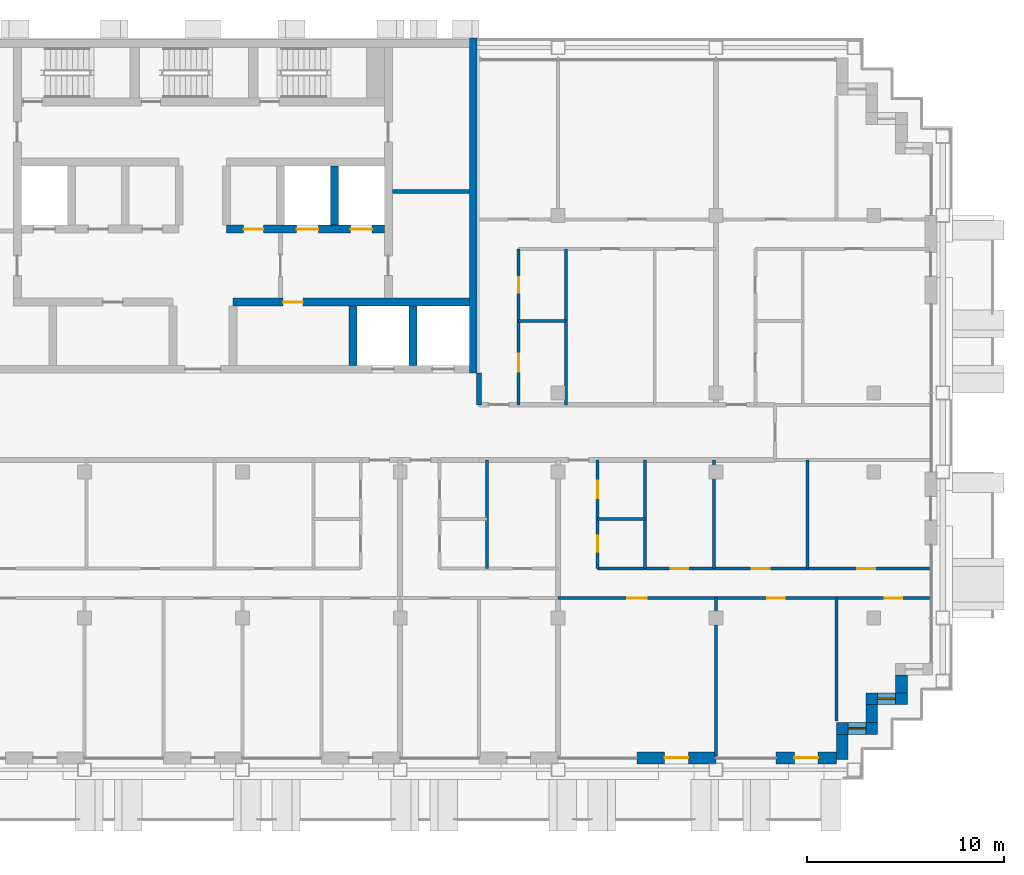
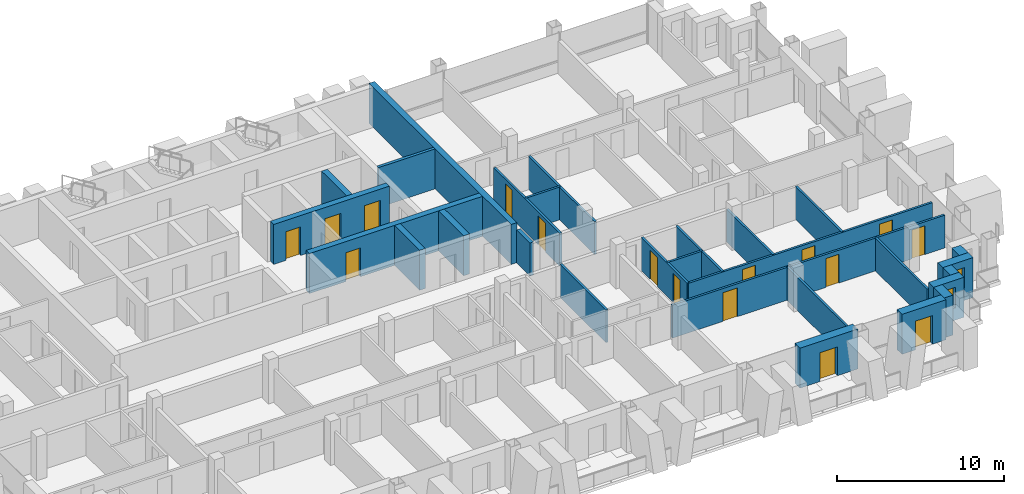
# One storey, part 10 of 16: 28 walls, 16 doors, 2 windows, 18 openings.
"""IFC4 building model written with IfcOpenShell, lengths in metres."""

import ifcopenshell
import ifcopenshell.guid

model = None  # the IFC model being written
_history = None  # IfcOwnerHistory: only IFC2X3 demands one
_inside = {}  # id of a spatial element -> (the spatial element, [elements in it])
_under = {}  # id of a project, library or spatial element -> (it, [spatial elements below it])
_declared = {}  # id of a project -> (the project, [libraries it declares])
_typed = {}  # id of a type object -> (the type object, [elements of that type])
_made_of = {}  # id of a material, layer set ... -> (it, [elements and type objects made of it])


def new_model(schema):
    """Start an empty IFC model of exactly this schema.

    Asked for "IFC4X3", IfcOpenShell would pick the latest addendum, in which some entities
    have other attributes; the version numbers below select the first issue.
    IFC2X3 requires an IfcOwnerHistory on every rooted entity: one is made here for all.
    """
    global model, _history
    if schema == "IFC4X3":
        model = ifcopenshell.file(schema_version=(4, 3, 0, 0))
    else:
        model = ifcopenshell.file(schema=schema)
    _inside.clear()
    _under.clear()
    _declared.clear()
    _typed.clear()
    _made_of.clear()
    _history = None
    if model.schema == "IFC2X3":
        org = make("IfcOrganization", Name="unknown")
        user = make(
            "IfcPersonAndOrganization",
            ThePerson=make("IfcPerson", FamilyName="unknown"),
            TheOrganization=org,
        )
        app = make(
            "IfcApplication",
            ApplicationDeveloper=org,
            Version="unknown",
            ApplicationFullName="unknown",
            ApplicationIdentifier="unknown",
        )
        _history = make(
            "IfcOwnerHistory",
            OwningUser=user,
            OwningApplication=app,
            ChangeAction="ADDED",
            CreationDate=0,
        )
    return model


def make(cls, **values):
    """One entity of the class cls with the attributes given. An attribute that is None is left unset."""
    return model.create_entity(
        cls, **{name: value for name, value in values.items() if value is not None}
    )


def rooted(cls, **values):
    """An entity with a GlobalId (a new one), such as an element, a storey or a relation."""
    return make(cls, GlobalId=ifcopenshell.guid.new(), OwnerHistory=_history, **values)


def si_unit(unit_type, name, prefix=None):
    """IfcSIUnit, for example si_unit("LENGTHUNIT", "METRE", prefix="MILLI")."""
    return make("IfcSIUnit", UnitType=unit_type, Prefix=prefix, Name=name)


def assignment(units):
    """IfcUnitAssignment: the units of a project."""
    return None if units is None else make("IfcUnitAssignment", Units=units)


def point(xyz):
    """IfcCartesianPoint."""
    return None if xyz is None else make("IfcCartesianPoint", Coordinates=xyz)


def direction(xyz):
    """IfcDirection."""
    return None if xyz is None else make("IfcDirection", DirectionRatios=xyz)


def frame(location, z_axis=None, x_axis=None):
    """IfcAxis2Placement3D, a coordinate frame: its origin and axes. An axis left out is left unset."""
    return make(
        "IfcAxis2Placement3D",
        Location=point(location),
        Axis=direction(z_axis),
        RefDirection=direction(x_axis),
    )


def frame_2d(location, x_axis=None):
    """IfcAxis2Placement2D, a coordinate frame in the plane: its origin and x axis."""
    return make(
        "IfcAxis2Placement2D", Location=point(location), RefDirection=direction(x_axis)
    )


def origin():
    """The frame at (0, 0, 0) with its axes left unset."""
    return frame((0.0, 0.0, 0.0))


def place(relative_to, where):
    """IfcLocalPlacement: puts the frame where relative to a parent placement (None: the world)."""
    return make(
        "IfcLocalPlacement", PlacementRelTo=relative_to, RelativePlacement=where
    )


def context(
    kind, dimensions, precision=None, world=None, true_north=None, identifier=None
):
    """IfcGeometricRepresentationContext, for example the 3D "Model" context."""
    return make(
        "IfcGeometricRepresentationContext",
        ContextIdentifier=identifier,
        ContextType=kind,
        CoordinateSpaceDimension=dimensions,
        Precision=precision,
        WorldCoordinateSystem=world,
        TrueNorth=true_north,
    )


def subcontext(parent, identifier, kind, view, scale=None):
    """IfcGeometricRepresentationSubContext, for example "Body" below "Model"."""
    return make(
        "IfcGeometricRepresentationSubContext",
        ContextIdentifier=identifier,
        ContextType=kind,
        ParentContext=parent,
        TargetScale=scale,
        TargetView=view,
    )


def project(units=None, contexts=None):
    """IfcProject with its units and contexts."""
    return rooted(
        "IfcProject",
        Name="project",
        RepresentationContexts=contexts,
        UnitsInContext=assignment(units),
    )


def spatial(cls, under=None, at=None, **own):
    """A site, building, storey or space (cls), placed at a placement, below another one or the project."""
    s = rooted(cls, ObjectPlacement=at, **own)
    if under is not None:
        _under.setdefault(under.id(), (under, []))[1].append(s)
    return s


def profile(cls, at=None, kind="AREA", **sizes):
    """A parametric profile (cls). Its sizes go by their IFC names, for example OverallWidth=200.0."""
    return make(cls, ProfileType=kind, Position=at, **sizes)


def rectangle(**sizes):
    """IfcRectangleProfileDef."""
    return profile("IfcRectangleProfileDef", **sizes)


def extrude(swept, where, along, depth):
    """IfcExtrudedAreaSolid: the profile swept, set in the frame where, extruded along a direction by depth."""
    return make(
        "IfcExtrudedAreaSolid",
        SweptArea=swept,
        Position=where,
        ExtrudedDirection=direction(along),
        Depth=depth,
    )


def shape(context_of_items, identifier, shape_type, items):
    """IfcShapeRepresentation: the items that make up one representation, for example the "Body"."""
    return make(
        "IfcShapeRepresentation",
        ContextOfItems=context_of_items,
        RepresentationIdentifier=identifier,
        RepresentationType=shape_type,
        Items=items,
    )


def material(Name=None, Category=None):
    """IfcMaterial."""
    return make("IfcMaterial", Name=Name, Category=Category)


def layer(
    of_material, thickness, ventilated=None, Name=None, Category=None, Priority=None
):
    """IfcMaterialLayer: one layer of a wall or slab, of a material (None: an air gap)."""
    return make(
        "IfcMaterialLayer",
        Material=of_material,
        LayerThickness=thickness,
        IsVentilated=ventilated,
        Name=Name,
        Category=Category,
        Priority=Priority,
    )


def layer_set(layers, Name=None):
    """IfcMaterialLayerSet."""
    return make("IfcMaterialLayerSet", MaterialLayers=layers, LayerSetName=Name)


def made_of(thing, what):
    """Note that an element or type object is made of a material, layer set ...; save() writes the relation."""
    if what is not None:
        _made_of.setdefault(what.id(), (what, []))[1].append(thing)
    return thing


def type_object(cls, material=None, **own):
    """A type object (cls), such as IfcWallType, which elements share."""
    return made_of(rooted(cls, **own), material)


def element(
    cls,
    number,
    at=None,
    inside=None,
    cuts=None,
    type_object=None,
    material=None,
    context=None,
    identifier="Body",
    shape_type=None,
    held_by="IfcProductDefinitionShape",
    body=None,
    shapes=None,
    **own,
):
    """One element of the class cls, such as IfcWall. Its Tag is "e" and its number.

    at: its placement. inside: the storey or other place that contains it. cuts: it is an
    opening in that element (IfcRelVoidsElement). A single representation is given by context,
    identifier, shape_type and body (its items); several are given by shapes. held_by: the class
    of the entity that holds the representations. save() writes the other relations.
    """
    e = rooted(cls, Tag="e%d" % number, ObjectPlacement=at, **own)
    if body is not None:
        shapes = [shape(context, identifier, shape_type, body)]
    if shapes is not None:
        e.Representation = make(held_by, Representations=shapes)
    if inside is not None:
        _inside.setdefault(inside.id(), (inside, []))[1].append(e)
    if cuts is not None:
        rooted(
            "IfcRelVoidsElement", RelatingBuildingElement=cuts, RelatedOpeningElement=e
        )
    if type_object is not None:
        _typed.setdefault(type_object.id(), (type_object, []))[1].append(e)
    return made_of(e, material)


def fill(opening, filler):
    """IfcRelFillsElement: the door or window that sits in an opening."""
    return rooted(
        "IfcRelFillsElement",
        RelatingOpeningElement=opening,
        RelatedBuildingElement=filler,
    )


def aggregate(whole, parts):
    """IfcRelAggregates: a whole, such as a stair, and the parts it consists of."""
    return rooted("IfcRelAggregates", RelatingObject=whole, RelatedObjects=parts)


def save(model, path):
    """Write the relations noted so far, then the file.

    IfcRelAggregates (storeys below a building ...), IfcRelContainedInSpatialStructure (elements
    in a storey), IfcRelDefinesByType, IfcRelAssociatesMaterial and IfcRelDeclares: one each for
    every whole, place, type object, material and project.
    """
    for whole, parts in _under.values():
        aggregate(whole, parts)
    for where, things in _inside.values():
        rooted(
            "IfcRelContainedInSpatialStructure",
            RelatedElements=things,
            RelatingStructure=where,
        )
    for kind, things in _typed.values():
        rooted("IfcRelDefinesByType", RelatedObjects=things, RelatingType=kind)
    for what, things in _made_of.values():
        rooted("IfcRelAssociatesMaterial", RelatedObjects=things, RelatingMaterial=what)
    for by, libraries in _declared.values():
        rooted("IfcRelDeclares", RelatingContext=by, RelatedDefinitions=libraries)
    model.write(path)


model = new_model("IFC4")

# Units and contexts
model_context = context("Model", 3, precision=1e-05, world=origin(), true_north=direction((0.0, 1.0)))
body_context = subcontext(model_context, "Body", "Model", "MODEL_VIEW")
ifc_project = project(units=[si_unit("LENGTHUNIT", "METRE"), si_unit("AREAUNIT", "SQUARE_METRE"), si_unit("VOLUMEUNIT", "CUBIC_METRE"), si_unit("PLANEANGLEUNIT", "RADIAN"), si_unit("MASSUNIT", "GRAM", prefix="KILO")], contexts=[model_context])

# Site, building, storey
site_placement = place(None, origin())
site = spatial("IfcSite", under=ifc_project, at=site_placement, CompositionType="ELEMENT")
building_placement = place(site_placement, origin())
building = spatial("IfcBuilding", under=site, at=building_placement, Name="Vidyagriha Tower", CompositionType="ELEMENT")
storey_placement = place(building_placement, frame((0.0, 0.0, 187.699951171875)))
storey = spatial("IfcBuildingStorey", under=building, at=storey_placement, Name="L49", CompositionType="ELEMENT", Elevation=187.699951171875)

# Wall, opening, door
ifc_material_1 = material(Name="Precast concrete C40/50 with brick facing", Category="concrete")
ifc_layer_1 = layer(ifc_material_1, 0.60009765625)
ifc_layer_set_1 = layer_set([ifc_layer_1], Name="Precast concrete C40/50 with brick facing")
wall_type_1 = type_object("IfcWallType", Name="Brick-faced precast wall 600", PredefinedType="STANDARD", material=ifc_layer_set_1)
wall_1_placement = place(storey_placement, frame((22.0, -16.5, 0.0)))
wall_1 = element("IfcWall", 1, at=wall_1_placement, inside=storey, type_object=wall_type_1, Name="Brick door bay wall L49 R23.12", PredefinedType="STANDARD", context=body_context, shape_type="SweptSolid", body=[
    extrude(rectangle(XDim=4.0, YDim=0.60009765625, at=frame_2d((2.0, 0.0))), origin(), (0.0, 0.0, 1.0), 2.920166015625),
])
opening_1_placement = place(wall_1_placement, frame((1.39990234375, 0.0, 0.0)))
opening_1 = element("IfcOpeningElement", 2, at=opening_1_placement, cuts=wall_1, Name="Opening D49-74", PredefinedType="OPENING", context=body_context, shape_type="SweptSolid", body=[
    extrude(rectangle(XDim=1.199951171875, YDim=2.10009765625, at=frame_2d((0.60009765625, 1.050048828125))), frame((0.0, 0.31005859375, 0.0), z_axis=(0.0, -1.0, 0.0), x_axis=(1.0, 0.0, 0.0)), (0.0, 0.0, 1.0), 0.6201171875),
])
ifc_material_2 = material(Name="Aluminium framed glazed sliding door", Category="aluminium")
door_type_1 = type_object("IfcDoorType", Name="Balcony sliding door 1200x2100", OperationType="NOTDEFINED", PredefinedType="DOOR", material=ifc_material_2)
door_1_placement = place(opening_1_placement, origin())
door_1 = element("IfcDoor", 3, at=door_1_placement, inside=storey, type_object=door_type_1, Name="Door D49-74", OperationType="SLIDING_TO_LEFT", OverallHeight=2.10009765625, OverallWidth=1.199951171875, PredefinedType="DOOR", context=body_context, shape_type="SweptSolid", body=[
    extrude(rectangle(XDim=1.199951171875, YDim=2.10009765625, at=frame_2d((0.60009765625, 1.050048828125))), frame((0.0, 0.02490234375, 0.0), z_axis=(0.0, -1.0, 0.0), x_axis=(1.0, 0.0, 0.0)), (0.0, 0.0, 1.0), 0.050048828125),
])
fill(opening_1, door_1)

wall_2_placement = place(storey_placement, frame((29.050048828125, -16.5, 0.0)))
wall_2 = element("IfcWall", 4, at=wall_2_placement, inside=storey, type_object=wall_type_1, Name="Brick door bay wall L49 R23.14", PredefinedType="STANDARD", context=body_context, shape_type="SweptSolid", body=[
    extrude(rectangle(XDim=3.050048828125, YDim=0.60009765625, at=frame_2d((1.52490234375, 0.0))), origin(), (0.0, 0.0, 1.0), 2.920166015625),
])
opening_2_placement = place(wall_2_placement, frame((0.925048828125, 0.0, 0.0)))
opening_2 = element("IfcOpeningElement", 5, at=opening_2_placement, cuts=wall_2, Name="Opening D49-75", PredefinedType="OPENING", context=body_context, shape_type="SweptSolid", body=[
    extrude(rectangle(XDim=1.199951171875, YDim=2.10009765625, at=frame_2d((0.60009765625, 1.050048828125))), frame((0.0, 0.31005859375, 0.0), z_axis=(0.0, -1.0, 0.0), x_axis=(1.0, 0.0, 0.0)), (0.0, 0.0, 1.0), 0.6201171875),
])
door_2_placement = place(opening_2_placement, origin())
door_2 = element("IfcDoor", 6, at=door_2_placement, inside=storey, type_object=door_type_1, Name="Door D49-75", OperationType="SLIDING_TO_LEFT", OverallHeight=2.10009765625, OverallWidth=1.199951171875, PredefinedType="DOOR", context=body_context, shape_type="SweptSolid", body=[
    extrude(rectangle(XDim=1.199951171875, YDim=2.10009765625, at=frame_2d((0.60009765625, 1.050048828125))), frame((0.0, 0.02490234375, 0.0), z_axis=(0.0, -1.0, 0.0), x_axis=(1.0, 0.0, 0.0)), (0.0, 0.0, 1.0), 0.050048828125),
])
fill(opening_2, door_2)

# Wall
wall_3_placement = place(storey_placement, frame((32.39990234375, -16.580078125, 0.0), z_axis=(0.0, 0.0, 1.0), x_axis=(0.0, 1.0, 0.0)))
element("IfcWall", 7, at=wall_3_placement, inside=storey, type_object=wall_type_1, Name="Stepped corner wall L49 R24", PredefinedType="STANDARD", context=body_context, shape_type="SweptSolid", body=[
    extrude(rectangle(XDim=1.280029296875, YDim=0.60009765625, at=frame_2d((0.64013671875, 0.0))), origin(), (0.0, 0.0, 1.0), 2.920166015625),
])

# Wall, opening, window
wall_4_placement = place(storey_placement, frame((32.10009765625, -15.0, 0.0)))
wall_4 = element("IfcWall", 8, at=wall_4_placement, inside=storey, type_object=wall_type_1, Name="Stepped corner wall L49 R25", PredefinedType="STANDARD", context=body_context, shape_type="SweptSolid", body=[
    extrude(rectangle(XDim=2.099853515625, YDim=0.60009765625, at=frame_2d((1.0498046875, 0.0))), origin(), (0.0, 0.0, 1.0), 2.920166015625),
])
opening_3_placement = place(wall_4_placement, frame((0.60009765625, 0.0, 0.89990234375)))
opening_3 = element("IfcOpeningElement", 9, at=opening_3_placement, cuts=wall_4, Name="Opening WN1", PredefinedType="OPENING", context=body_context, shape_type="SweptSolid", body=[
    extrude(rectangle(XDim=0.89990234375, YDim=1.5, at=frame_2d((0.449951171875, 0.75))), frame((0.0, 0.31005859375, 0.0), z_axis=(0.0, -1.0, 0.0), x_axis=(1.0, 0.0, 0.0)), (0.0, 0.0, 1.0), 0.6201171875),
])
ifc_material_3 = material(Name="Aluminium and glass window", Category="aluminium")
window_type = type_object("IfcWindowType", Name="Reveal window 900x1500", PartitioningType="NOTDEFINED", PredefinedType="WINDOW", material=ifc_material_3)
window_1_placement = place(opening_3_placement, origin())
window_1 = element("IfcWindow", 10, at=window_1_placement, inside=storey, type_object=window_type, Name="Reveal window L49 R25", OverallHeight=1.5, OverallWidth=0.89990234375, PartitioningType="SINGLE_PANEL", PredefinedType="WINDOW", context=body_context, shape_type="SweptSolid", body=[
    extrude(rectangle(XDim=0.89990234375, YDim=1.5, at=frame_2d((0.449951171875, 0.75))), frame((0.0, 0.030029296875, 0.0), z_axis=(0.0, -1.0, 0.0), x_axis=(1.0, 0.0, 0.0)), (0.0, 0.0, 1.0), 0.06005859375),
])
fill(opening_3, window_1)

# Wall
wall_5_placement = place(storey_placement, frame((33.89990234375, -14.699951171875, 0.0), z_axis=(0.0, 0.0, 1.0), x_axis=(0.0, 1.0, 0.0)))
element("IfcWall", 11, at=wall_5_placement, inside=storey, type_object=wall_type_1, Name="Stepped corner wall L49 R26", PredefinedType="STANDARD", context=body_context, shape_type="SweptSolid", body=[
    extrude(rectangle(XDim=0.89990234375, YDim=0.60009765625, at=frame_2d((0.449951171875, 0.0))), origin(), (0.0, 0.0, 1.0), 2.920166015625),
])

# Wall, opening, window
wall_6_placement = place(storey_placement, frame((33.60009765625, -13.5, 0.0)))
wall_6 = element("IfcWall", 12, at=wall_6_placement, inside=storey, type_object=wall_type_1, Name="Stepped corner wall L49 R27", PredefinedType="STANDARD", context=body_context, shape_type="SweptSolid", body=[
    extrude(rectangle(XDim=2.099853515625, YDim=0.60009765625, at=frame_2d((1.0498046875, 0.0))), origin(), (0.0, 0.0, 1.0), 2.920166015625),
])
opening_4_placement = place(wall_6_placement, frame((0.60009765625, 0.0, 0.89990234375)))
opening_4 = element("IfcOpeningElement", 13, at=opening_4_placement, cuts=wall_6, Name="Opening WN1", PredefinedType="OPENING", context=body_context, shape_type="SweptSolid", body=[
    extrude(rectangle(XDim=0.89990234375, YDim=1.5, at=frame_2d((0.449951171875, 0.75))), frame((0.0, 0.31005859375, 0.0), z_axis=(0.0, -1.0, 0.0), x_axis=(1.0, 0.0, 0.0)), (0.0, 0.0, 1.0), 0.6201171875),
])
window_2_placement = place(opening_4_placement, origin())
window_2 = element("IfcWindow", 14, at=window_2_placement, inside=storey, type_object=window_type, Name="Reveal window L49 R27", OverallHeight=1.5, OverallWidth=0.89990234375, PartitioningType="SINGLE_PANEL", PredefinedType="WINDOW", context=body_context, shape_type="SweptSolid", body=[
    extrude(rectangle(XDim=0.89990234375, YDim=1.5, at=frame_2d((0.449951171875, 0.75))), frame((0.0, 0.030029296875, 0.0), z_axis=(0.0, -1.0, 0.0), x_axis=(1.0, 0.0, 0.0)), (0.0, 0.0, 1.0), 0.06005859375),
])
fill(opening_4, window_2)

# Walls
wall_7_placement = place(storey_placement, frame((35.39990234375, -13.199951171875, 0.0), z_axis=(0.0, 0.0, 1.0), x_axis=(0.0, 1.0, 0.0)))
element("IfcWall", 15, at=wall_7_placement, inside=storey, type_object=wall_type_1, Name="Stepped corner wall L49 R28", PredefinedType="STANDARD", context=body_context, shape_type="SweptSolid", body=[
    extrude(rectangle(XDim=0.89990234375, YDim=0.60009765625, at=frame_2d((0.449951171875, 0.0))), origin(), (0.0, 0.0, 1.0), 2.920166015625),
])
ifc_material_4 = material(Name="Concrete C60/75", Category="concrete")
ifc_layer_2 = layer(ifc_material_4, 0.39990234375)
ifc_layer_set_2 = layer_set([ifc_layer_2], Name="Concrete C60/75")
wall_type_2 = type_object("IfcWallType", Name="Core shear wall 400 mm", PredefinedType="SHEAR", material=ifc_layer_set_2)
wall_8_placement = place(storey_placement, frame((13.699951171875, 3.0, 0.0), z_axis=(0.0, 0.0, 1.0), x_axis=(0.0, 1.0, 0.0)))
element("IfcWall", 16, at=wall_8_placement, inside=storey, type_object=wall_type_2, Name="Core east wall", PredefinedType="SHEAR", context=body_context, shape_type="SweptSolid", body=[
    extrude(rectangle(XDim=17.0, YDim=0.39990234375, at=frame_2d((8.5, 0.0))), origin(), (0.0, 0.0, 1.0), 2.920166015625),
])

# Wall, opening, door
wall_9_placement = place(storey_placement, frame((1.522216796875, 6.60009765625, 0.0)))
wall_9 = element("IfcWall", 17, at=wall_9_placement, inside=storey, type_object=wall_type_2, Name="Core lobby south wall east", PredefinedType="SHEAR", context=body_context, shape_type="SweptSolid", body=[
    extrude(rectangle(XDim=11.977783203125, YDim=0.39990234375, at=frame_2d((5.98876953125, 0.0))), origin(), (0.0, 0.0, 1.0), 2.920166015625),
])
opening_5_placement = place(wall_9_placement, frame((2.54443359375, 0.0, 0.0)))
opening_5 = element("IfcOpeningElement", 18, at=opening_5_placement, cuts=wall_9, Name="Opening D49-03", PredefinedType="OPENING", context=body_context, shape_type="SweptSolid", body=[
    extrude(rectangle(XDim=1.0, YDim=2.10009765625, at=frame_2d((0.5, 1.050048828125))), frame((0.0, 0.2099609375, 0.0), z_axis=(0.0, -1.0, 0.0), x_axis=(1.0, 0.0, 0.0)), (0.0, 0.0, 1.0), 0.419921875),
])
ifc_material_5 = material(Name="Hollow metal door leaf")
door_type_2 = type_object("IfcDoorType", Name="Core room door 1000 x 2100 mm EI 60", OperationType="NOTDEFINED", PredefinedType="DOOR", material=ifc_material_5)
door_3_placement = place(opening_5_placement, origin())
door_3 = element("IfcDoor", 19, at=door_3_placement, inside=storey, type_object=door_type_2, Name="Door Switchgear Room 49.02", OperationType="SINGLE_SWING_RIGHT", OverallHeight=2.10009765625, OverallWidth=1.0, PredefinedType="DOOR", context=body_context, shape_type="SweptSolid", body=[
    extrude(rectangle(XDim=1.0, YDim=2.10009765625, at=frame_2d((0.5, 1.050048828125))), frame((0.0, 0.02490234375, 0.0), z_axis=(0.0, -1.0, 0.0), x_axis=(1.0, 0.0, 0.0)), (0.0, 0.0, 1.0), 0.050048828125),
])
fill(opening_5, door_3)

# Walls
for number, where, z_axis, x_axis, name in (
    (20, (7.611083984375, 3.39990234375, 0.0), (0.0, 0.0, 1.0), (0.0, 1.0, 0.0), "Core bay wall S7"),
    (21, (10.655517578125, 3.39990234375, 0.0), (0.0, 0.0, 1.0), (0.0, 1.0, 0.0), "Core bay wall S8"),
):
    element("IfcWall", number, at=place(storey_placement, frame(where, z_axis=z_axis, x_axis=x_axis)), inside=storey, type_object=wall_type_2, Name=name, PredefinedType="SHEAR", context=body_context, shape_type="SweptSolid", body=[
        extrude(rectangle(XDim=3.0, YDim=0.39990234375, at=frame_2d((1.5, 0.0))), origin(), (0.0, 0.0, 1.0), 2.920166015625),
    ])

# Wall, openings, doors
wall_10_placement = place(storey_placement, frame((1.199951171875, 10.300048828125, 0.0)))
wall_10 = element("IfcWall", 22, at=wall_10_placement, inside=storey, type_object=wall_type_2, Name="Core row N front wall", PredefinedType="SHEAR", context=body_context, shape_type="SweptSolid", body=[
    extrude(rectangle(XDim=8.0, YDim=0.39990234375, at=frame_2d((4.0, 0.0))), origin(), (0.0, 0.0, 1.0), 2.920166015625),
])
opening_6_placement = place(wall_10_placement, frame((3.550048828125, 0.0, 0.0)))
opening_6 = element("IfcOpeningElement", 23, at=opening_6_placement, cuts=wall_10, Name="Opening LD49-04", PredefinedType="OPENING", context=body_context, shape_type="SweptSolid", body=[
    extrude(rectangle(XDim=1.10009765625, YDim=2.10009765625, at=frame_2d((0.550048828125, 1.050048828125))), frame((0.0, 0.2099609375, 0.0), z_axis=(0.0, -1.0, 0.0), x_axis=(1.0, 0.0, 0.0)), (0.0, 0.0, 1.0), 0.419921875),
])
opening_7_placement = place(wall_10_placement, frame((6.283203125, 0.0, 0.0)))
opening_7 = element("IfcOpeningElement", 24, at=opening_7_placement, cuts=wall_10, Name="Opening LD49-05", PredefinedType="OPENING", context=body_context, shape_type="SweptSolid", body=[
    extrude(rectangle(XDim=1.10009765625, YDim=2.10009765625, at=frame_2d((0.550048828125, 1.050048828125))), frame((0.0, 0.2099609375, 0.0), z_axis=(0.0, -1.0, 0.0), x_axis=(1.0, 0.0, 0.0)), (0.0, 0.0, 1.0), 0.419921875),
])
opening_8_placement = place(wall_10_placement, frame((0.86669921875, 0.0, 0.0)))
opening_8 = element("IfcOpeningElement", 25, at=opening_8_placement, cuts=wall_10, Name="Opening D49-06", PredefinedType="OPENING", context=body_context, shape_type="SweptSolid", body=[
    extrude(rectangle(XDim=1.0, YDim=2.10009765625, at=frame_2d((0.5, 1.050048828125))), frame((0.0, 0.2099609375, 0.0), z_axis=(0.0, -1.0, 0.0), x_axis=(1.0, 0.0, 0.0)), (0.0, 0.0, 1.0), 0.419921875),
])
door_4_placement = place(opening_8_placement, frame((1.0, 0.0, 0.0), z_axis=(0.0, 0.0, 1.0), x_axis=(-1.0, 0.0, 0.0)))
door_4 = element("IfcDoor", 26, at=door_4_placement, inside=storey, type_object=door_type_2, Name="Door Switchgear Room 49.16", OperationType="SINGLE_SWING_LEFT", OverallHeight=2.10009765625, OverallWidth=1.0, PredefinedType="DOOR", context=body_context, shape_type="SweptSolid", body=[
    extrude(rectangle(XDim=1.0, YDim=2.10009765625, at=frame_2d((0.5, 1.050048828125))), frame((0.0, 0.02490234375, 0.0), z_axis=(0.0, -1.0, 0.0), x_axis=(1.0, 0.0, 0.0)), (0.0, 0.0, 1.0), 0.050048828125),
])
fill(opening_8, door_4)
ifc_material_6 = material(Name="Stainless steel sliding door panel", Category="steel")
door_type_3 = type_object("IfcDoorType", Name="Lift landing door 1100 x 2100 mm EI 90", OperationType="NOTDEFINED", PredefinedType="DOOR", material=ifc_material_6)
door_5_placement = place(opening_6_placement, origin())
door_5 = element("IfcDoor", 27, at=door_5_placement, inside=storey, type_object=door_type_3, Name="Landing door FF1 L49", OperationType="SLIDING_TO_LEFT", OverallHeight=2.10009765625, OverallWidth=1.10009765625, PredefinedType="DOOR", context=body_context, shape_type="SweptSolid", body=[
    extrude(rectangle(XDim=1.10009765625, YDim=2.10009765625, at=frame_2d((0.550048828125, 1.050048828125))), frame((0.0, 0.02490234375, 0.0), z_axis=(0.0, -1.0, 0.0), x_axis=(1.0, 0.0, 0.0)), (0.0, 0.0, 1.0), 0.050048828125),
])
fill(opening_6, door_5)
door_6_placement = place(opening_7_placement, origin())
door_6 = element("IfcDoor", 28, at=door_6_placement, inside=storey, type_object=door_type_3, Name="Landing door FF2 L49", OperationType="SLIDING_TO_LEFT", OverallHeight=2.10009765625, OverallWidth=1.10009765625, PredefinedType="DOOR", context=body_context, shape_type="SweptSolid", body=[
    extrude(rectangle(XDim=1.10009765625, YDim=2.10009765625, at=frame_2d((0.550048828125, 1.050048828125))), frame((0.0, 0.02490234375, 0.0), z_axis=(0.0, -1.0, 0.0), x_axis=(1.0, 0.0, 0.0)), (0.0, 0.0, 1.0), 0.050048828125),
])
fill(opening_7, door_6)

# Walls
wall_11_placement = place(storey_placement, frame((6.666748046875, 10.5, 0.0), z_axis=(0.0, 0.0, 1.0), x_axis=(0.0, 1.0, 0.0)))
element("IfcWall", 29, at=wall_11_placement, inside=storey, type_object=wall_type_2, Name="Core bay wall N6", PredefinedType="SHEAR", context=body_context, shape_type="SweptSolid", body=[
    extrude(rectangle(XDim=3.0, YDim=0.39990234375, at=frame_2d((1.5, 0.0))), origin(), (0.0, 0.0, 1.0), 2.920166015625),
])
ifc_material_7 = material(Name="Fired clay brick masonry", Category="masonry")
ifc_layer_3 = layer(ifc_material_7, 0.25)
ifc_layer_set_3 = layer_set([ifc_layer_3], Name="Fired clay brick masonry")
wall_type_3 = type_object("IfcWallType", Name="Fired clay brick corridor wall 250", PredefinedType="PARTITIONING", material=ifc_layer_set_3)
wall_12_placement = place(storey_placement, frame((14.0, 1.39990234375, 0.0), z_axis=(0.0, 0.0, 1.0), x_axis=(0.0, 1.0, 0.0)))
element("IfcWall", 30, at=wall_12_placement, inside=storey, type_object=wall_type_3, Name="Wall all-L49-w117", PredefinedType="PARTITIONING", context=body_context, shape_type="SweptSolid", body=[
    extrude(rectangle(XDim=1.60009765625, YDim=0.25, at=frame_2d((0.800048828125, 0.0))), origin(), (0.0, 0.0, 1.0), 2.400146484375),
])
ifc_material_8 = material(Name="Gypsum board partition")
ifc_layer_4 = layer(ifc_material_8, 0.14990234375)
ifc_layer_set_4 = layer_set([ifc_layer_4], Name="Gypsum board partition")
wall_type_4 = type_object("IfcWallType", Name="Gypsum board partition 150", PredefinedType="PARTITIONING", material=ifc_layer_set_4)
wall_13_placement = place(storey_placement, frame((14.39990234375, -1.39990234375, 0.0), z_axis=(0.0, 0.0, 1.0), x_axis=(0.0, -1.0, 0.0)))
element("IfcWall", 31, at=wall_13_placement, inside=storey, type_object=wall_type_4, Name="Wall all-L49-w040", PredefinedType="PARTITIONING", context=body_context, shape_type="SweptSolid", body=[
    extrude(rectangle(XDim=5.5, YDim=0.14990234375, at=frame_2d((2.75, 0.0))), origin(), (0.0, 0.0, 1.0), 2.400146484375),
])
wall_14_placement = place(storey_placement, frame((22.39990234375, -4.39990234375, 0.0), z_axis=(0.0, 0.0, 1.0), x_axis=(-1.0, 0.0, 0.0)))
element("IfcWall", 32, at=wall_14_placement, inside=storey, type_object=wall_type_4, Name="Wall all-L49-w052", PredefinedType="PARTITIONING", context=body_context, shape_type="SweptSolid", body=[
    extrude(rectangle(XDim=2.39990234375, YDim=0.14990234375, at=frame_2d((1.199951171875, 0.0))), origin(), (0.0, 0.0, 1.0), 2.400146484375),
])
for number, where, z_axis, x_axis, name in (
    (33, (22.39990234375, -1.39990234375, 0.0), (0.0, 0.0, 1.0), (0.0, -1.0, 0.0), "Wall all-L49-w053"),
    (34, (25.89990234375, -1.39990234375, 0.0), (0.0, 0.0, 1.0), (0.0, -1.0, 0.0), "Wall all-L49-w054"),
    (35, (30.64990234375, -1.39990234375, 0.0), (0.0, 0.0, 1.0), (0.0, -1.0, 0.0), "Wall all-L49-w055"),
):
    element("IfcWall", number, at=place(storey_placement, frame(where, z_axis=z_axis, x_axis=x_axis)), inside=storey, type_object=wall_type_4, Name=name, PredefinedType="PARTITIONING", context=body_context, shape_type="SweptSolid", body=[
        extrude(rectangle(XDim=5.5, YDim=0.14990234375, at=frame_2d((2.75, 0.0))), origin(), (0.0, 0.0, 1.0), 2.400146484375),
    ])

# Wall, openings, doors
wall_15_placement = place(storey_placement, frame((20.0, -6.89990234375, 0.0)))
wall_15 = element("IfcWall", 36, at=wall_15_placement, inside=storey, type_object=wall_type_4, Name="Wall all-L49-w056", PredefinedType="PARTITIONING", context=body_context, shape_type="SweptSolid", body=[
    extrude(rectangle(XDim=16.820068359375, YDim=0.14990234375, at=frame_2d((8.41015625, 0.0))), origin(), (0.0, 0.0, 1.0), 2.400146484375),
])
opening_9_placement = place(wall_15_placement, frame((3.699951171875, 0.0, 0.0)))
opening_9 = element("IfcOpeningElement", 37, at=opening_9_placement, cuts=wall_15, Name="Opening D49-40", PredefinedType="OPENING", context=body_context, shape_type="SweptSolid", body=[
    extrude(rectangle(XDim=0.89990234375, YDim=2.10009765625, at=frame_2d((0.449951171875, 1.050048828125))), frame((0.0, 0.0849609375, 0.0), z_axis=(0.0, -1.0, 0.0), x_axis=(1.0, 0.0, 0.0)), (0.0, 0.0, 1.0), 0.169921875),
])
opening_10_placement = place(wall_15_placement, frame((7.824951171875, 0.0, 0.0)))
opening_10 = element("IfcOpeningElement", 38, at=opening_10_placement, cuts=wall_15, Name="Opening D49-41", PredefinedType="OPENING", context=body_context, shape_type="SweptSolid", body=[
    extrude(rectangle(XDim=0.89990234375, YDim=2.10009765625, at=frame_2d((0.449951171875, 1.050048828125))), frame((0.0, 0.0849609375, 0.0), z_axis=(0.0, -1.0, 0.0), x_axis=(1.0, 0.0, 0.0)), (0.0, 0.0, 1.0), 0.169921875),
])
opening_11_placement = place(wall_15_placement, frame((13.175048828125, 0.0, 0.0)))
opening_11 = element("IfcOpeningElement", 39, at=opening_11_placement, cuts=wall_15, Name="Opening D49-42", PredefinedType="OPENING", context=body_context, shape_type="SweptSolid", body=[
    extrude(rectangle(XDim=0.89990234375, YDim=2.10009765625, at=frame_2d((0.449951171875, 1.050048828125))), frame((0.0, 0.0849609375, 0.0), z_axis=(0.0, -1.0, 0.0), x_axis=(1.0, 0.0, 0.0)), (0.0, 0.0, 1.0), 0.169921875),
])
ifc_material_9 = material(Name="Timber door leaf", Category="wood")
door_type_4 = type_object("IfcDoorType", Name="Room door 900x2100", OperationType="NOTDEFINED", PredefinedType="DOOR", material=ifc_material_9)
door_7_placement = place(opening_9_placement, origin())
door_7 = element("IfcDoor", 40, at=door_7_placement, inside=storey, type_object=door_type_4, Name="Door D49-40", OperationType="SINGLE_SWING_RIGHT", OverallHeight=2.10009765625, OverallWidth=0.89990234375, PredefinedType="DOOR", context=body_context, shape_type="SweptSolid", body=[
    extrude(rectangle(XDim=0.89990234375, YDim=2.10009765625, at=frame_2d((0.449951171875, 1.050048828125))), frame((0.0, 0.02490234375, 0.0), z_axis=(0.0, -1.0, 0.0), x_axis=(1.0, 0.0, 0.0)), (0.0, 0.0, 1.0), 0.050048828125),
])
fill(opening_9, door_7)
door_8_placement = place(opening_10_placement, origin())
door_8 = element("IfcDoor", 41, at=door_8_placement, inside=storey, type_object=door_type_4, Name="Door D49-41", OperationType="SINGLE_SWING_RIGHT", OverallHeight=2.10009765625, OverallWidth=0.89990234375, PredefinedType="DOOR", context=body_context, shape_type="SweptSolid", body=[
    extrude(rectangle(XDim=0.89990234375, YDim=2.10009765625, at=frame_2d((0.449951171875, 1.050048828125))), frame((0.0, 0.02490234375, 0.0), z_axis=(0.0, -1.0, 0.0), x_axis=(1.0, 0.0, 0.0)), (0.0, 0.0, 1.0), 0.050048828125),
])
fill(opening_10, door_8)
door_9_placement = place(opening_11_placement, origin())
door_9 = element("IfcDoor", 42, at=door_9_placement, inside=storey, type_object=door_type_4, Name="Door D49-42", OperationType="SINGLE_SWING_RIGHT", OverallHeight=2.10009765625, OverallWidth=0.89990234375, PredefinedType="DOOR", context=body_context, shape_type="SweptSolid", body=[
    extrude(rectangle(XDim=0.89990234375, YDim=2.10009765625, at=frame_2d((0.449951171875, 1.050048828125))), frame((0.0, 0.02490234375, 0.0), z_axis=(0.0, -1.0, 0.0), x_axis=(1.0, 0.0, 0.0)), (0.0, 0.0, 1.0), 0.050048828125),
])
fill(opening_11, door_9)

wall_16_placement = place(storey_placement, frame((36.820068359375, -8.39990234375, 0.0), z_axis=(0.0, 0.0, 1.0), x_axis=(-1.0, 0.0, 0.0)))
wall_16 = element("IfcWall", 43, at=wall_16_placement, inside=storey, type_object=wall_type_4, Name="Wall all-L49-w060", PredefinedType="PARTITIONING", context=body_context, shape_type="SweptSolid", body=[
    extrude(rectangle(XDim=18.820068359375, YDim=0.14990234375, at=frame_2d((9.41015625, 0.0))), origin(), (0.0, 0.0, 1.0), 2.400146484375),
])
opening_12_placement = place(wall_16_placement, frame((14.320068359375, 0.0, 0.0)))
opening_12 = element("IfcOpeningElement", 44, at=opening_12_placement, cuts=wall_16, Name="Opening D49-43", PredefinedType="OPENING", context=body_context, shape_type="SweptSolid", body=[
    extrude(rectangle(XDim=1.0, YDim=2.10009765625, at=frame_2d((0.5, 1.050048828125))), frame((0.0, 0.0849609375, 0.0), z_axis=(0.0, -1.0, 0.0), x_axis=(1.0, 0.0, 0.0)), (0.0, 0.0, 1.0), 0.169921875),
])
opening_13_placement = place(wall_16_placement, frame((7.320068359375, 0.0, 0.0)))
opening_13 = element("IfcOpeningElement", 45, at=opening_13_placement, cuts=wall_16, Name="Opening D49-44", PredefinedType="OPENING", context=body_context, shape_type="SweptSolid", body=[
    extrude(rectangle(XDim=0.89990234375, YDim=2.10009765625, at=frame_2d((0.449951171875, 1.050048828125))), frame((0.0, 0.0849609375, 0.0), z_axis=(0.0, -1.0, 0.0), x_axis=(1.0, 0.0, 0.0)), (0.0, 0.0, 1.0), 0.169921875),
])
opening_14_placement = place(wall_16_placement, frame((1.373046875, 0.0, 0.0)))
opening_14 = element("IfcOpeningElement", 46, at=opening_14_placement, cuts=wall_16, Name="Opening D49-45", PredefinedType="OPENING", context=body_context, shape_type="SweptSolid", body=[
    extrude(rectangle(XDim=0.89990234375, YDim=2.10009765625, at=frame_2d((0.449951171875, 1.050048828125))), frame((0.0, 0.0849609375, 0.0), z_axis=(0.0, -1.0, 0.0), x_axis=(1.0, 0.0, 0.0)), (0.0, 0.0, 1.0), 0.169921875),
])
ifc_material_10 = material(Name="Timber door leaf", Category="wood")
door_type_5 = type_object("IfcDoorType", Name="Room door 1000x2100", OperationType="NOTDEFINED", PredefinedType="DOOR", material=ifc_material_10)
door_10_placement = place(opening_12_placement, origin())
door_10 = element("IfcDoor", 47, at=door_10_placement, inside=storey, type_object=door_type_5, Name="Door D49-43", OperationType="SINGLE_SWING_RIGHT", OverallHeight=2.10009765625, OverallWidth=1.0, PredefinedType="DOOR", context=body_context, shape_type="SweptSolid", body=[
    extrude(rectangle(XDim=1.0, YDim=2.10009765625, at=frame_2d((0.5, 1.050048828125))), frame((0.0, 0.02490234375, 0.0), z_axis=(0.0, -1.0, 0.0), x_axis=(1.0, 0.0, 0.0)), (0.0, 0.0, 1.0), 0.050048828125),
])
fill(opening_12, door_10)
door_11_placement = place(opening_13_placement, origin())
door_11 = element("IfcDoor", 48, at=door_11_placement, inside=storey, type_object=door_type_4, Name="Door D49-44", OperationType="SINGLE_SWING_RIGHT", OverallHeight=2.10009765625, OverallWidth=0.89990234375, PredefinedType="DOOR", context=body_context, shape_type="SweptSolid", body=[
    extrude(rectangle(XDim=0.89990234375, YDim=2.10009765625, at=frame_2d((0.449951171875, 1.050048828125))), frame((0.0, 0.02490234375, 0.0), z_axis=(0.0, -1.0, 0.0), x_axis=(1.0, 0.0, 0.0)), (0.0, 0.0, 1.0), 0.050048828125),
])
fill(opening_13, door_11)
door_12_placement = place(opening_14_placement, origin())
door_12 = element("IfcDoor", 49, at=door_12_placement, inside=storey, type_object=door_type_4, Name="Door D49-45", OperationType="SINGLE_SWING_LEFT", OverallHeight=2.10009765625, OverallWidth=0.89990234375, PredefinedType="DOOR", context=body_context, shape_type="SweptSolid", body=[
    extrude(rectangle(XDim=0.89990234375, YDim=2.10009765625, at=frame_2d((0.449951171875, 1.050048828125))), frame((0.0, 0.02490234375, 0.0), z_axis=(0.0, -1.0, 0.0), x_axis=(1.0, 0.0, 0.0)), (0.0, 0.0, 1.0), 0.050048828125),
])
fill(opening_14, door_12)

# Walls
wall_17_placement = place(storey_placement, frame((26.0, -8.39990234375, 0.0), z_axis=(0.0, 0.0, 1.0), x_axis=(0.0, -1.0, 0.0)))
element("IfcWall", 50, at=wall_17_placement, inside=storey, type_object=wall_type_4, Name="Wall all-L49-w064", PredefinedType="PARTITIONING", context=body_context, shape_type="SweptSolid", body=[
    extrude(rectangle(XDim=8.010009765625, YDim=0.14990234375, at=frame_2d((4.0048828125, 0.0))), origin(), (0.0, 0.0, 1.0), 2.400146484375),
])
wall_18_placement = place(storey_placement, frame((32.10009765625, -8.39990234375, 0.0), z_axis=(0.0, 0.0, 1.0), x_axis=(0.0, -1.0, 0.0)))
element("IfcWall", 51, at=wall_18_placement, inside=storey, type_object=wall_type_4, Name="Wall all-L49-w065", PredefinedType="PARTITIONING", context=body_context, shape_type="SweptSolid", body=[
    extrude(rectangle(XDim=6.22021484375, YDim=0.14990234375, at=frame_2d((3.110107421875, 0.0))), origin(), (0.0, 0.0, 1.0), 2.400146484375),
])
wall_19_placement = place(storey_placement, frame((16.0, 5.64990234375, 0.0)))
element("IfcWall", 52, at=wall_19_placement, inside=storey, type_object=wall_type_4, Name="Wall all-L49-w087", PredefinedType="PARTITIONING", context=body_context, shape_type="SweptSolid", body=[
    extrude(rectangle(XDim=2.39990234375, YDim=0.14990234375, at=frame_2d((1.199951171875, 0.0))), origin(), (0.0, 0.0, 1.0), 2.400146484375),
])
wall_20_placement = place(storey_placement, frame((18.39990234375, 9.300048828125, 0.0), z_axis=(0.0, 0.0, 1.0), x_axis=(0.0, -1.0, 0.0)))
element("IfcWall", 53, at=wall_20_placement, inside=storey, type_object=wall_type_4, Name="Wall all-L49-w088", PredefinedType="PARTITIONING", context=body_context, shape_type="SweptSolid", body=[
    extrude(rectangle(XDim=7.900146484375, YDim=0.14990234375, at=frame_2d((3.9501953125, 0.0))), origin(), (0.0, 0.0, 1.0), 2.400146484375),
])

# Wall, openings, doors
ifc_material_11 = material(Name="Moisture resistant gypsum board partition")
ifc_layer_5 = layer(ifc_material_11, 0.14990234375)
ifc_layer_set_5 = layer_set([ifc_layer_5], Name="Moisture resistant gypsum board partition")
wall_type_5 = type_object("IfcWallType", Name="Gypsum board wet-area partition 150", PredefinedType="PARTITIONING", material=ifc_layer_set_5)
wall_21_placement = place(storey_placement, frame((20.0, -1.39990234375, 0.0), z_axis=(0.0, 0.0, 1.0), x_axis=(0.0, -1.0, 0.0)))
wall_21 = element("IfcWall", 54, at=wall_21_placement, inside=storey, type_object=wall_type_5, Name="Wall all-L49-w049", PredefinedType="PARTITIONING", context=body_context, shape_type="SweptSolid", body=[
    extrude(rectangle(XDim=5.5, YDim=0.14990234375, at=frame_2d((2.75, 0.0))), origin(), (0.0, 0.0, 1.0), 2.400146484375),
])
opening_15_placement = place(wall_21_placement, frame((1.050048828125, 0.0, 0.0)))
opening_15 = element("IfcOpeningElement", 55, at=opening_15_placement, cuts=wall_21, Name="Opening D49-38", PredefinedType="OPENING", context=body_context, shape_type="SweptSolid", body=[
    extrude(rectangle(XDim=0.89990234375, YDim=2.10009765625, at=frame_2d((0.449951171875, 1.050048828125))), frame((0.0, 0.0849609375, 0.0), z_axis=(0.0, -1.0, 0.0), x_axis=(1.0, 0.0, 0.0)), (0.0, 0.0, 1.0), 0.169921875),
])
opening_16_placement = place(wall_21_placement, frame((3.85009765625, 0.0, 0.0)))
opening_16 = element("IfcOpeningElement", 56, at=opening_16_placement, cuts=wall_21, Name="Opening D49-39", PredefinedType="OPENING", context=body_context, shape_type="SweptSolid", body=[
    extrude(rectangle(XDim=0.800048828125, YDim=2.10009765625, at=frame_2d((0.39990234375, 1.050048828125))), frame((0.0, 0.0849609375, 0.0), z_axis=(0.0, -1.0, 0.0), x_axis=(1.0, 0.0, 0.0)), (0.0, 0.0, 1.0), 0.169921875),
])
ifc_material_12 = material(Name="Timber door leaf", Category="wood")
door_type_6 = type_object("IfcDoorType", Name="Bathroom door 800x2100", OperationType="NOTDEFINED", PredefinedType="DOOR", material=ifc_material_12)
door_13_placement = place(opening_16_placement, origin())
door_13 = element("IfcDoor", 57, at=door_13_placement, inside=storey, type_object=door_type_6, Name="Door D49-39", OperationType="SINGLE_SWING_RIGHT", OverallHeight=2.10009765625, OverallWidth=0.800048828125, PredefinedType="DOOR", context=body_context, shape_type="SweptSolid", body=[
    extrude(rectangle(XDim=0.800048828125, YDim=2.10009765625, at=frame_2d((0.39990234375, 1.050048828125))), frame((0.0, 0.02490234375, 0.0), z_axis=(0.0, -1.0, 0.0), x_axis=(1.0, 0.0, 0.0)), (0.0, 0.0, 1.0), 0.050048828125),
])
fill(opening_16, door_13)
ifc_material_13 = material(Name="Timber door leaf", Category="wood")
door_type_7 = type_object("IfcDoorType", Name="Kitchen door 900x2100", OperationType="NOTDEFINED", PredefinedType="DOOR", material=ifc_material_13)
door_14_placement = place(opening_15_placement, origin())
door_14 = element("IfcDoor", 58, at=door_14_placement, inside=storey, type_object=door_type_7, Name="Door D49-38", OperationType="SINGLE_SWING_LEFT", OverallHeight=2.10009765625, OverallWidth=0.89990234375, PredefinedType="DOOR", context=body_context, shape_type="SweptSolid", body=[
    extrude(rectangle(XDim=0.89990234375, YDim=2.10009765625, at=frame_2d((0.449951171875, 1.050048828125))), frame((0.0, 0.02490234375, 0.0), z_axis=(0.0, -1.0, 0.0), x_axis=(1.0, 0.0, 0.0)), (0.0, 0.0, 1.0), 0.050048828125),
])
fill(opening_15, door_14)

wall_22_placement = place(storey_placement, frame((16.0, 9.300048828125, 0.0), z_axis=(0.0, 0.0, 1.0), x_axis=(0.0, -1.0, 0.0)))
wall_22 = element("IfcWall", 59, at=wall_22_placement, inside=storey, type_object=wall_type_5, Name="Wall all-L49-w084", PredefinedType="PARTITIONING", context=body_context, shape_type="SweptSolid", body=[
    extrude(rectangle(XDim=7.900146484375, YDim=0.14990234375, at=frame_2d((3.9501953125, 0.0))), origin(), (0.0, 0.0, 1.0), 2.400146484375),
])
opening_17_placement = place(wall_22_placement, frame((5.324951171875, 0.0, 0.0)))
opening_17 = element("IfcOpeningElement", 60, at=opening_17_placement, cuts=wall_22, Name="Opening D49-53", PredefinedType="OPENING", context=body_context, shape_type="SweptSolid", body=[
    extrude(rectangle(XDim=0.89990234375, YDim=2.10009765625, at=frame_2d((0.449951171875, 1.050048828125))), frame((0.0, 0.0849609375, 0.0), z_axis=(0.0, -1.0, 0.0), x_axis=(1.0, 0.0, 0.0)), (0.0, 0.0, 1.0), 0.169921875),
])
opening_18_placement = place(wall_22_placement, frame((1.425048828125, 0.0, 0.0)))
opening_18 = element("IfcOpeningElement", 61, at=opening_18_placement, cuts=wall_22, Name="Opening D49-54", PredefinedType="OPENING", context=body_context, shape_type="SweptSolid", body=[
    extrude(rectangle(XDim=0.800048828125, YDim=2.10009765625, at=frame_2d((0.39990234375, 1.050048828125))), frame((0.0, 0.0849609375, 0.0), z_axis=(0.0, -1.0, 0.0), x_axis=(1.0, 0.0, 0.0)), (0.0, 0.0, 1.0), 0.169921875),
])
door_15_placement = place(opening_18_placement, origin())
door_15 = element("IfcDoor", 62, at=door_15_placement, inside=storey, type_object=door_type_6, Name="Door D49-54", OperationType="SINGLE_SWING_RIGHT", OverallHeight=2.10009765625, OverallWidth=0.800048828125, PredefinedType="DOOR", context=body_context, shape_type="SweptSolid", body=[
    extrude(rectangle(XDim=0.800048828125, YDim=2.10009765625, at=frame_2d((0.39990234375, 1.050048828125))), frame((0.0, 0.02490234375, 0.0), z_axis=(0.0, -1.0, 0.0), x_axis=(1.0, 0.0, 0.0)), (0.0, 0.0, 1.0), 0.050048828125),
])
fill(opening_18, door_15)
door_16_placement = place(opening_17_placement, origin())
door_16 = element("IfcDoor", 63, at=door_16_placement, inside=storey, type_object=door_type_7, Name="Door D49-53", OperationType="SINGLE_SWING_LEFT", OverallHeight=2.10009765625, OverallWidth=0.89990234375, PredefinedType="DOOR", context=body_context, shape_type="SweptSolid", body=[
    extrude(rectangle(XDim=0.89990234375, YDim=2.10009765625, at=frame_2d((0.449951171875, 1.050048828125))), frame((0.0, 0.02490234375, 0.0), z_axis=(0.0, -1.0, 0.0), x_axis=(1.0, 0.0, 0.0)), (0.0, 0.0, 1.0), 0.050048828125),
])
fill(opening_17, door_16)

# Wall
ifc_material_14 = material(Name="Blockwork 15 MPa", Category="masonry")
ifc_layer_6 = layer(ifc_material_14, 0.199951171875)
ifc_layer_set_6 = layer_set([ifc_layer_6], Name="Blockwork 15 MPa")
wall_type_6 = type_object("IfcWallType", Name="Service room partition 200 mm", PredefinedType="PARTITIONING", material=ifc_layer_set_6)
wall_23_placement = place(storey_placement, frame((9.60009765625, 12.199951171875, 0.0)))
element("IfcWall", 64, at=wall_23_placement, inside=storey, type_object=wall_type_6, Name="Core room partition E1", PredefinedType="PARTITIONING", context=body_context, shape_type="SweptSolid", body=[
    extrude(rectangle(XDim=3.89990234375, YDim=0.199951171875, at=frame_2d((1.949951171875, 0.0))), origin(), (0.0, 0.0, 1.0), 2.920166015625),
])

save(model, "model.ifc")
